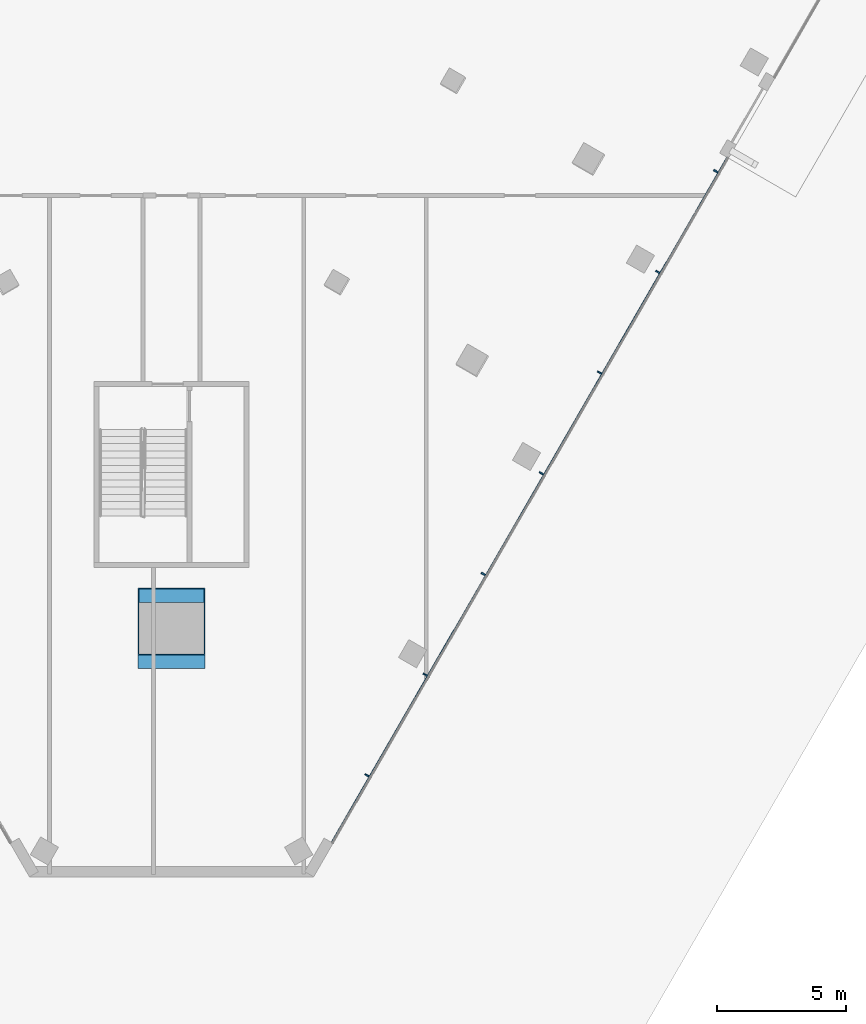
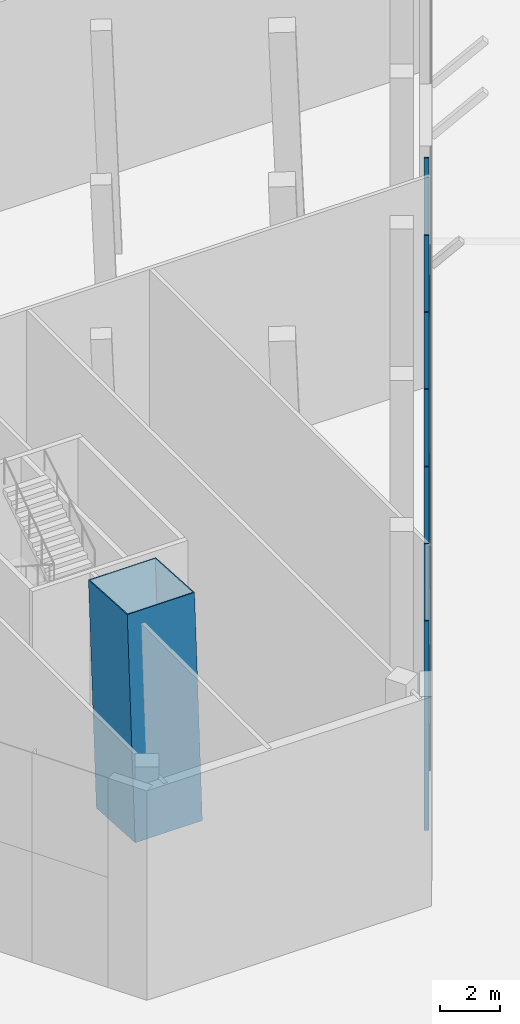
# One storey, part 3 of 21: 9 members, 1 element without a shape of its own.
"""IFC4 building model written with IfcOpenShell, lengths in metres."""

from ifc_helpers import new_model, si_unit, direction, frame, origin, origin_2d, place, context, subcontext, project, spatial, rectangle, hollow_rectangle, extrude, material, layer, layer_set, material_profile, profile_set, type_object, element, aggregate, save


model = new_model("IFC4")

# Units and contexts
model_context = context("Model", 3, precision=1e-05, world=origin(), true_north=direction((0.0, 1.0)))
body_context = subcontext(model_context, "Body", "Model", "MODEL_VIEW")
ifc_project = project(units=[si_unit("LENGTHUNIT", "METRE"), si_unit("AREAUNIT", "SQUARE_METRE"), si_unit("VOLUMEUNIT", "CUBIC_METRE"), si_unit("PLANEANGLEUNIT", "RADIAN"), si_unit("MASSUNIT", "GRAM", prefix="KILO")], contexts=[model_context])

# Site, building, storey
site_placement = place(None, origin())
site = spatial("IfcSite", under=ifc_project, at=site_placement, CompositionType="ELEMENT")
building_placement = place(site_placement, origin())
building = spatial("IfcBuilding", under=site, at=building_placement, Name="Altiplano Prism Tower", CompositionType="ELEMENT")
storey_placement = place(building_placement, origin())
storey = spatial("IfcBuildingStorey", under=building, at=storey_placement, Name="L00", CompositionType="ELEMENT", Elevation=0.0)

# Curtain wall, members
ifc_material_1 = material(Name="Aluminium and glass", Category="aluminium")
ifc_layer = layer(ifc_material_1, 0.261962890625)
ifc_layer_set = layer_set([ifc_layer], Name="Aluminium and glass")
curtain_wall_type = type_object("IfcCurtainWallType", Name="CW4 concourse and street shopfront", PredefinedType="NOTDEFINED", material=ifc_layer_set)
curtain_wall_placement = place(storey_placement, origin())
curtain_wall = element("IfcCurtainWall", 1, at=curtain_wall_placement, inside=storey, type_object=curtain_wall_type, Name="CW4 shopfront south-east face L00", PredefinedType="NOTDEFINED")
ifc_material_2 = material(Name="Aluminium", Category="aluminium")
ifc_material_profile_1 = material_profile(ifc_material_2, rectangle(XDim=0.179931640625, YDim=0.06005859375, at=origin_2d()), Name="CW4 mullion 60 x 180")
ifc_profile_set_1 = profile_set([ifc_material_profile_1], Name="Aluminium")
member_type_1 = type_object("IfcMemberType", Name="CW4 mullion 60 x 180", PredefinedType="MULLION", material=ifc_profile_set_1)
member_1_placement = place(storey_placement, frame((92.568603515625, 44.953369140625, 0.0), z_axis=(0.0, 0.0, 1.0), x_axis=(-0.866025405818, 0.499999996478, 0.0)))
member_1 = element("IfcMember", 2, at=member_1_placement, type_object=member_type_1, Name="CW4 mullion", PredefinedType="MULLION", context=body_context, shape_type="SweptSolid", body=[
    extrude(rectangle(XDim=0.179931640625, YDim=0.06005859375, at=origin_2d()), origin(), (0.0, 0.0, 1.0), 8.550048828125),
])
member_2_placement = place(storey_placement, frame((94.818603515625, 48.850341796875, 0.0), z_axis=(0.0, 0.0, 1.0), x_axis=(-0.866025405818, 0.499999996478, 0.0)))
member_2 = element("IfcMember", 3, at=member_2_placement, type_object=member_type_1, Name="CW4 mullion", PredefinedType="MULLION", context=body_context, shape_type="SweptSolid", body=[
    extrude(rectangle(XDim=0.179931640625, YDim=0.06005859375, at=origin_2d()), origin(), (0.0, 0.0, 1.0), 8.550048828125),
])
member_3_placement = place(storey_placement, frame((97.068603515625, 52.74755859375, 0.0), z_axis=(0.0, 0.0, 1.0), x_axis=(-0.866025405818, 0.499999996478, 0.0)))
member_3 = element("IfcMember", 4, at=member_3_placement, type_object=member_type_1, Name="CW4 mullion", PredefinedType="MULLION", context=body_context, shape_type="SweptSolid", body=[
    extrude(rectangle(XDim=0.179931640625, YDim=0.06005859375, at=origin_2d()), origin(), (0.0, 0.0, 1.0), 8.550048828125),
])
member_4_placement = place(storey_placement, frame((99.318603515625, 56.644775390625, 0.0), z_axis=(0.0, 0.0, 1.0), x_axis=(-0.866025405818, 0.499999996478, 0.0)))
member_4 = element("IfcMember", 5, at=member_4_placement, type_object=member_type_1, Name="CW4 mullion", PredefinedType="MULLION", context=body_context, shape_type="SweptSolid", body=[
    extrude(rectangle(XDim=0.179931640625, YDim=0.06005859375, at=origin_2d()), origin(), (0.0, 0.0, 1.0), 8.550048828125),
])
member_5_placement = place(storey_placement, frame((101.568603515625, 60.541748046875, 0.0), z_axis=(0.0, 0.0, 1.0), x_axis=(-0.866025405818, 0.499999996478, 0.0)))
member_5 = element("IfcMember", 6, at=member_5_placement, type_object=member_type_1, Name="CW4 mullion", PredefinedType="MULLION", context=body_context, shape_type="SweptSolid", body=[
    extrude(rectangle(XDim=0.179931640625, YDim=0.06005859375, at=origin_2d()), origin(), (0.0, 0.0, 1.0), 8.550048828125),
])
member_6_placement = place(storey_placement, frame((103.818603515625, 64.43896484375, 0.0), z_axis=(0.0, 0.0, 1.0), x_axis=(-0.866025405818, 0.499999996478, 0.0)))
member_6 = element("IfcMember", 7, at=member_6_placement, type_object=member_type_1, Name="CW4 mullion", PredefinedType="MULLION", context=body_context, shape_type="SweptSolid", body=[
    extrude(rectangle(XDim=0.179931640625, YDim=0.06005859375, at=origin_2d()), origin(), (0.0, 0.0, 1.0), 8.550048828125),
])
member_7_placement = place(storey_placement, frame((106.068603515625, 68.3359375, 0.0), z_axis=(0.0, 0.0, 1.0), x_axis=(-0.866025405818, 0.499999996478, 0.0)))
member_7 = element("IfcMember", 8, at=member_7_placement, type_object=member_type_1, Name="CW4 mullion", PredefinedType="MULLION", context=body_context, shape_type="SweptSolid", body=[
    extrude(rectangle(XDim=0.179931640625, YDim=0.06005859375, at=origin_2d()), origin(), (0.0, 0.0, 1.0), 8.550048828125),
])
ifc_material_profile_2 = material_profile(ifc_material_2, rectangle(XDim=0.050048828125, YDim=0.06005859375, at=origin_2d()), Name="CW4 transom 60 x 50")
ifc_profile_set_2 = profile_set([ifc_material_profile_2], Name="Aluminium")
member_type_2 = type_object("IfcMemberType", Name="CW4 transom 60 x 50", PredefinedType="USERDEFINED", material=ifc_profile_set_2)
member_8_placement = place(storey_placement, frame((91.20068359375, 42.353759765625, 4.5), z_axis=(0.499998998695, 0.866025981888, 0.0), x_axis=(-0.866025981888, 0.499998998695, 0.0)))
member_8 = element("IfcMember", 9, at=member_8_placement, type_object=member_type_2, Name="CW4 transom", ObjectType="TRANSOM", PredefinedType="USERDEFINED", context=body_context, shape_type="SweptSolid", body=[
    extrude(rectangle(XDim=0.050048828125, YDim=0.06005859375, at=origin_2d()), origin(), (0.0, 0.0, 1.0), 30.61865234375),
])
aggregate(curtain_wall, [member_1, member_2, member_3, member_4, member_5, member_6, member_7, member_8])

# Member
ifc_material_3 = material(Name="Steel S460", Category="steel")
ifc_material_profile_3 = material_profile(ifc_material_3, hollow_rectangle(XDim=2.60009765625, YDim=2.60009765625, WallThickness=0.0400390625, at=origin_2d()), Name="Mega column tube 2600")
ifc_profile_set_3 = profile_set([ifc_material_profile_3], Name="Steel S460")
member_type_3 = type_object("IfcMemberType", Name="Mega column tube 2600", PredefinedType="POST", material=ifc_profile_set_3)
member_9_placement = place(storey_placement, frame((85.0, 50.382080078125, 0.0), z_axis=(0.0, 0.05835848564, 0.998295691243), x_axis=(-1.0, 0.0, 0.0)))
element("IfcMember", 10, at=member_9_placement, inside=storey, type_object=member_type_3, Name="Mega column tube M1 L00", PredefinedType="POST", context=body_context, shape_type="SweptSolid", body=[
    extrude(hollow_rectangle(XDim=2.60009765625, YDim=2.60009765625, WallThickness=0.0400390625, at=origin_2d()), origin(), (0.0, 0.0, 1.0), 9.015380859375),
])

save(model, "model.ifc")
